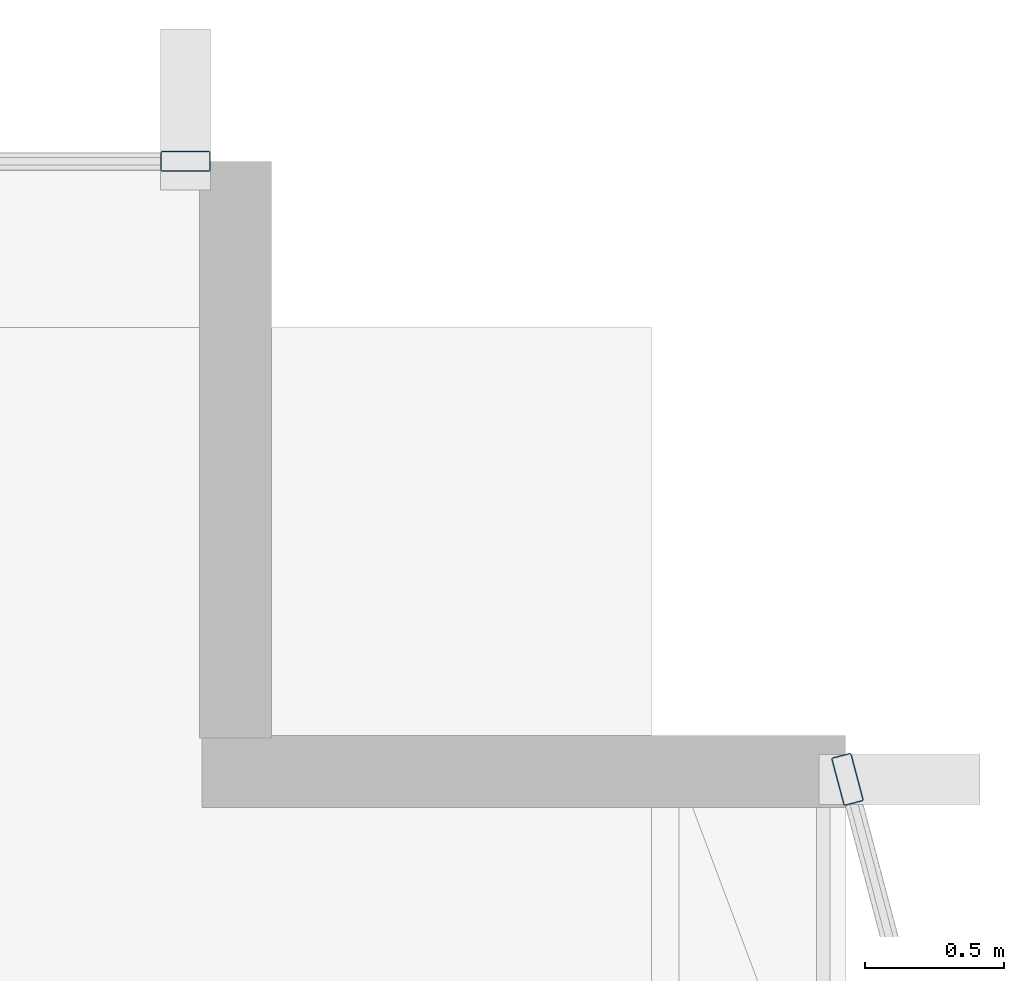
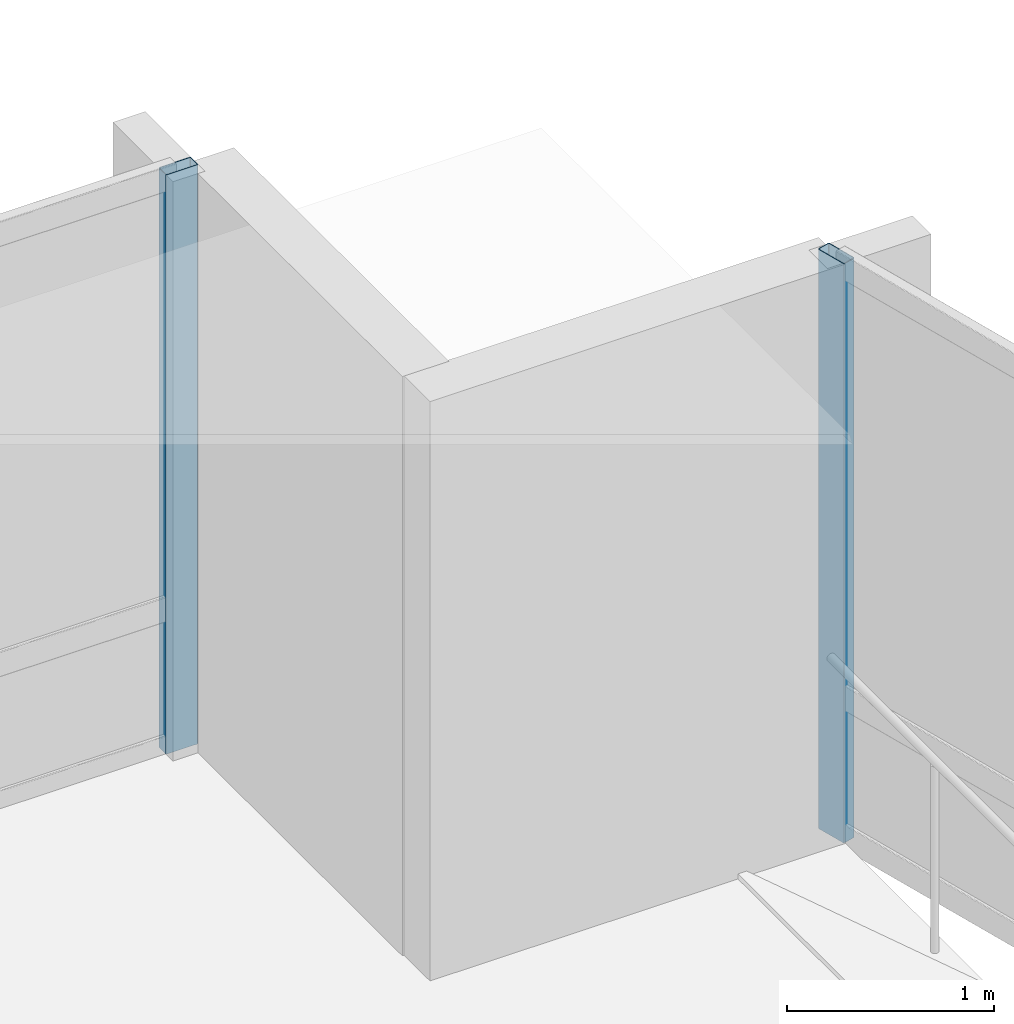
# One storey, part 14 of 27: 2 members, 2 elements without a shape of their own.
"""IFC4 building model written with IfcOpenShell, lengths in metres."""

from ifc_helpers import new_model, si_unit, direction, frame, origin, origin_2d, place, context, subcontext, project, spatial, hollow_rectangle, extrude, material, layer, layer_set, material_profile, profile_set, type_object, element, aggregate, save


model = new_model("IFC4")

# Units and contexts
model_context = context("Model", 3, precision=1e-05, world=origin(), true_north=direction((0.0, 1.0)))
body_context = subcontext(model_context, "Body", "Model", "MODEL_VIEW")
ifc_project = project(units=[si_unit("LENGTHUNIT", "METRE"), si_unit("AREAUNIT", "SQUARE_METRE"), si_unit("VOLUMEUNIT", "CUBIC_METRE"), si_unit("PLANEANGLEUNIT", "RADIAN"), si_unit("MASSUNIT", "GRAM", prefix="KILO")], contexts=[model_context])

# Site, building, storey
site_placement = place(None, origin())
site = spatial("IfcSite", under=ifc_project, at=site_placement, CompositionType="ELEMENT")
building_placement = place(site_placement, origin())
building = spatial("IfcBuilding", under=site, at=building_placement, Name="Solvaryn Broadcast Tower", CompositionType="ELEMENT")
storey_placement = place(building_placement, frame((0.0, 0.0, 181.60009765625)))
storey = spatial("IfcBuildingStorey", under=building, at=storey_placement, Name="L45", CompositionType="ELEMENT", Elevation=181.60009765625)

# Curtain wall, member
ifc_material_1 = material(Name="Aluminium and Terracotta Unitised Curtain Wall", Category="masonry")
ifc_layer = layer(ifc_material_1, 0.199951171875)
ifc_layer_set = layer_set([ifc_layer], Name="CW-SYS2-LOWMID")
curtain_wall_type = type_object("IfcCurtainWallType", Name="CW-SYS2-LOWMID", PredefinedType="NOTDEFINED", material=ifc_layer_set)
curtain_wall_1_placement = place(storey_placement, origin())
curtain_wall_1 = element("IfcCurtainWall", 1, at=curtain_wall_1_placement, inside=storey, type_object=curtain_wall_type, Name="L45 Curtain Wall ET1", PredefinedType="NOTDEFINED")
ifc_material_2 = material(Name="Anodised Aluminium 6063-T6", Category="aluminium")
ifc_material_profile = material_profile(ifc_material_2, hollow_rectangle(XDim=0.074951171875, YDim=0.179931640625, WallThickness=0.00390625, InnerFilletRadius=0.00390625, OuterFilletRadius=0.008056640625, at=origin_2d()))
ifc_profile_set = profile_set([ifc_material_profile], Name="Anodised Aluminium 6063-T6")
member_type = type_object("IfcMemberType", Name="CW-MUL-180", PredefinedType="MULLION", material=ifc_profile_set)
member_1_placement = place(storey_placement, frame((54.007568359375, 24.77099609375, 0.0), z_axis=(0.0, 0.0, 1.0), x_axis=(0.966705227863, 0.25589256031, 0.0)))
member_1 = element("IfcMember", 2, at=member_1_placement, type_object=member_type, Name="CWS2 mullion 1", PredefinedType="MULLION", context=body_context, shape_type="SweptSolid", body=[
    extrude(hollow_rectangle(XDim=0.074951171875, YDim=0.179931640625, WallThickness=0.00390625, InnerFilletRadius=0.00390625, OuterFilletRadius=0.008056640625, at=origin_2d()), origin(), (0.0, 0.0, 1.0), 3.419921875),
])
aggregate(curtain_wall_1, [member_1])

curtain_wall_2_placement = place(storey_placement, origin())
curtain_wall_2 = element("IfcCurtainWall", 3, at=curtain_wall_2_placement, inside=storey, type_object=curtain_wall_type, Name="L45 Curtain Wall IH", PredefinedType="NOTDEFINED")
member_2_placement = place(storey_placement, frame((51.6201171875, 27.0, 0.0), z_axis=(0.0, 0.0, 1.0), x_axis=(0.0, 1.0, 0.0)))
member_2 = element("IfcMember", 4, at=member_2_placement, type_object=member_type, Name="CWS2 mullion 2", PredefinedType="MULLION", context=body_context, shape_type="SweptSolid", body=[
    extrude(hollow_rectangle(XDim=0.074951171875, YDim=0.179931640625, WallThickness=0.00390625, InnerFilletRadius=0.00390625, OuterFilletRadius=0.008056640625, at=origin_2d()), origin(), (0.0, 0.0, 1.0), 3.419921875),
])
aggregate(curtain_wall_2, [member_2])

save(model, "model.ifc")
